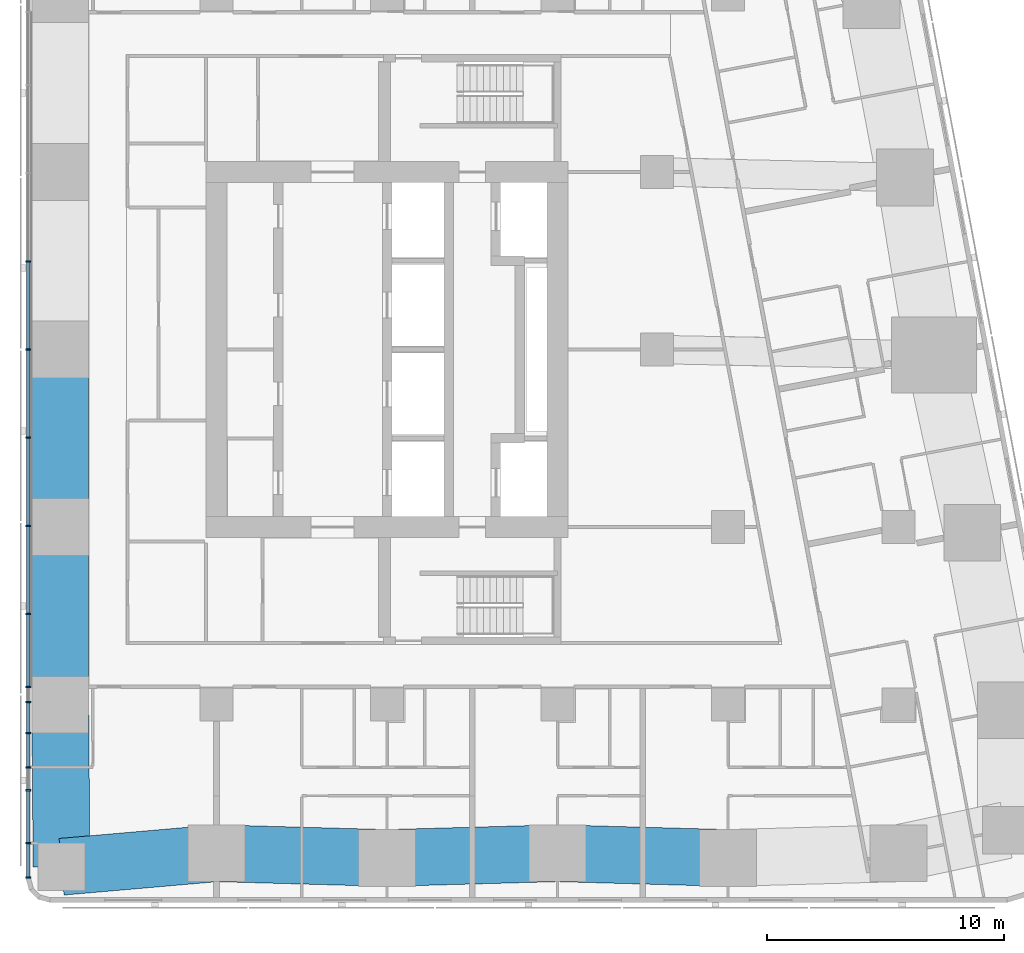
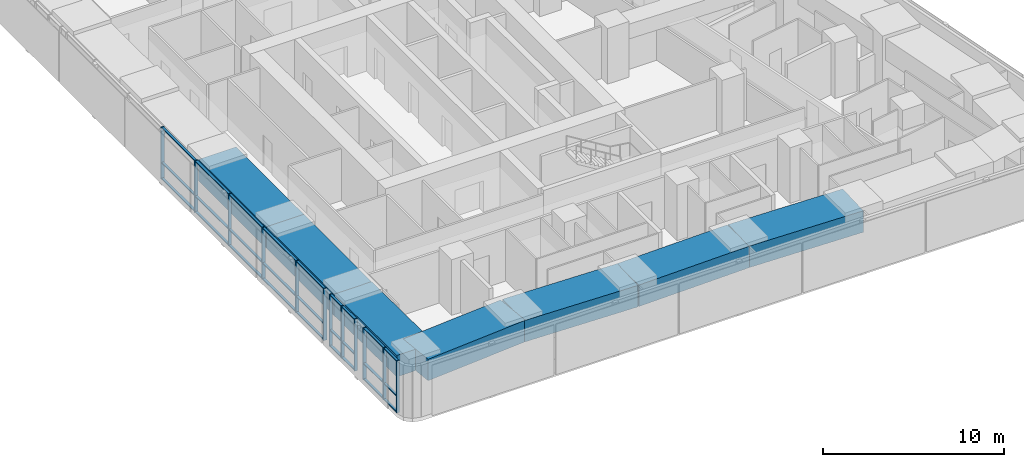
# One storey, part 2 of 19: 39 members, 7 beams, 1 element without a shape of its own.
"""IFC4 building model written with IfcOpenShell, lengths in metres."""

from ifc_helpers import new_model, si_unit, direction, frame, origin, origin_2d, place, context, subcontext, project, spatial, rectangle, extrude, material, material_profile, profile_set, type_object, element, aggregate, save


model = new_model("IFC4")

# Units and contexts
model_context = context("Model", 3, precision=1e-05, world=origin(), true_north=direction((0.0, 1.0)))
body_context = subcontext(model_context, "Body", "Model", "MODEL_VIEW")
ifc_project = project(units=[si_unit("LENGTHUNIT", "METRE"), si_unit("AREAUNIT", "SQUARE_METRE"), si_unit("VOLUMEUNIT", "CUBIC_METRE"), si_unit("PLANEANGLEUNIT", "RADIAN"), si_unit("MASSUNIT", "GRAM", prefix="KILO")], contexts=[model_context])

# Site, building, storey
site_placement = place(None, origin())
site = spatial("IfcSite", under=ifc_project, at=site_placement, CompositionType="ELEMENT")
building_placement = place(site_placement, origin())
building = spatial("IfcBuilding", under=site, at=building_placement, Name="Sheger Commons Tower", CompositionType="ELEMENT")
storey_placement = place(building_placement, frame((0.0, 0.0, 216.199951171875)))
storey = spatial("IfcBuildingStorey", under=building, at=storey_placement, Name="L55", CompositionType="ELEMENT", Elevation=216.199951171875)

# Curtain wall, members
ifc_material_1 = material(Name="Black aluminium curtain wall, dark tinted glazing", Category="aluminium")
curtain_wall_type = type_object("IfcCurtainWallType", Name="CURTAIN WALL CW4 GALLERY", PredefinedType="USERDEFINED", material=ifc_material_1)
curtain_wall_placement = place(storey_placement, origin())
curtain_wall = element("IfcCurtainWall", 1, at=curtain_wall_placement, inside=storey, type_object=curtain_wall_type, Name="Curtain Wall Cw4 Gallery W1 L55", ObjectType="UNITISED CURTAIN WALL", PredefinedType="USERDEFINED")
ifc_material_2 = material(Name="Black anodised aluminium", Category="aluminium")
ifc_material_profile_1 = material_profile(ifc_material_2, rectangle(XDim=0.199951171875, YDim=0.06494140625, at=origin_2d()), Name="AL 65x200")
ifc_profile_set_1 = profile_set([ifc_material_profile_1], Name="Black anodised aluminium")
member_type_1 = type_object("IfcMemberType", Name="MULLION AL 65x200", PredefinedType="MULLION", material=ifc_profile_set_1)
member_1_placement = place(storey_placement, frame((6.449951171875, 26.222900390625, 0.0), z_axis=(0.0, 0.0, 1.0), x_axis=(1.0, 0.0, 0.0)))
member_1 = element("IfcMember", 2, at=member_1_placement, type_object=member_type_1, Name="CW4 mullion 10", PredefinedType="MULLION", context=body_context, shape_type="SweptSolid", body=[
    extrude(rectangle(XDim=0.199951171875, YDim=0.06494140625, at=origin_2d()), origin(), (0.0, 0.0, 1.0), 3.5),
])
member_2_placement = place(storey_placement, frame((6.449951171875, 22.5, 0.0), z_axis=(0.0, 0.0, 1.0), x_axis=(1.0, 0.0, 0.0)))
member_2 = element("IfcMember", 3, at=member_2_placement, type_object=member_type_1, Name="CW4 mullion 11", PredefinedType="MULLION", context=body_context, shape_type="SweptSolid", body=[
    extrude(rectangle(XDim=0.199951171875, YDim=0.06494140625, at=origin_2d()), origin(), (0.0, 0.0, 1.0), 3.5),
])
member_3_placement = place(storey_placement, frame((6.449951171875, 18.777099609375, 0.0), z_axis=(0.0, 0.0, 1.0), x_axis=(1.0, 0.0, 0.0)))
member_3 = element("IfcMember", 4, at=member_3_placement, type_object=member_type_1, Name="CW4 mullion 12", PredefinedType="MULLION", context=body_context, shape_type="SweptSolid", body=[
    extrude(rectangle(XDim=0.199951171875, YDim=0.06494140625, at=origin_2d()), origin(), (0.0, 0.0, 1.0), 3.5),
])
member_4_placement = place(storey_placement, frame((6.449951171875, 15.053955078125, 0.0), z_axis=(0.0, 0.0, 1.0), x_axis=(1.0, 0.0, 0.0)))
member_4 = element("IfcMember", 5, at=member_4_placement, type_object=member_type_1, Name="CW4 mullion 13", PredefinedType="MULLION", context=body_context, shape_type="SweptSolid", body=[
    extrude(rectangle(XDim=0.199951171875, YDim=0.06494140625, at=origin_2d()), origin(), (0.0, 0.0, 1.0), 3.5),
])
member_5_placement = place(storey_placement, frame((6.449951171875, 11.3310546875, 0.0), z_axis=(0.0, 0.0, 1.0), x_axis=(1.0, 0.0, 0.0)))
member_5 = element("IfcMember", 6, at=member_5_placement, type_object=member_type_1, Name="CW4 mullion 14", PredefinedType="MULLION", context=body_context, shape_type="SweptSolid", body=[
    extrude(rectangle(XDim=0.199951171875, YDim=0.06494140625, at=origin_2d()), origin(), (0.0, 0.0, 1.0), 3.5),
])
member_6_placement = place(storey_placement, frame((6.449951171875, 8.25, 0.0), z_axis=(0.0, 0.0, 1.0), x_axis=(1.0, 0.0, 0.0)))
member_6 = element("IfcMember", 7, at=member_6_placement, type_object=member_type_1, Name="CW4 mullion 15", PredefinedType="MULLION", context=body_context, shape_type="SweptSolid", body=[
    extrude(rectangle(XDim=0.199951171875, YDim=0.06494140625, at=origin_2d()), origin(), (0.0, 0.0, 1.0), 3.5),
])
member_7_placement = place(storey_placement, frame((6.449951171875, 7.60888671875, 0.0), z_axis=(0.0, 0.0, 1.0), x_axis=(1.0, 0.0, 0.0)))
member_7 = element("IfcMember", 8, at=member_7_placement, type_object=member_type_1, Name="CW4 mullion 16", PredefinedType="MULLION", context=body_context, shape_type="SweptSolid", body=[
    extrude(rectangle(XDim=0.199951171875, YDim=0.06494140625, at=origin_2d()), origin(), (0.0, 0.0, 1.0), 3.5),
])
member_8_placement = place(storey_placement, frame((6.449951171875, 6.300048828125, 0.0), z_axis=(0.0, 0.0, 1.0), x_axis=(1.0, 0.0, 0.0)))
member_8 = element("IfcMember", 9, at=member_8_placement, type_object=member_type_1, Name="CW4 mullion 17", PredefinedType="MULLION", context=body_context, shape_type="SweptSolid", body=[
    extrude(rectangle(XDim=0.199951171875, YDim=0.06494140625, at=origin_2d()), origin(), (0.0, 0.0, 1.0), 3.5),
])
member_9_placement = place(storey_placement, frame((6.449951171875, 4.85009765625, 0.0), z_axis=(0.0, 0.0, 1.0), x_axis=(1.0, 0.0, 0.0)))
member_9 = element("IfcMember", 10, at=member_9_placement, type_object=member_type_1, Name="CW4 mullion 18", PredefinedType="MULLION", context=body_context, shape_type="SweptSolid", body=[
    extrude(rectangle(XDim=0.199951171875, YDim=0.06494140625, at=origin_2d()), origin(), (0.0, 0.0, 1.0), 3.5),
])
member_10_placement = place(storey_placement, frame((6.449951171875, 3.885986328125, 0.0), z_axis=(0.0, 0.0, 1.0), x_axis=(1.0, 0.0, 0.0)))
member_10 = element("IfcMember", 11, at=member_10_placement, type_object=member_type_1, Name="CW4 mullion 19", PredefinedType="MULLION", context=body_context, shape_type="SweptSolid", body=[
    extrude(rectangle(XDim=0.199951171875, YDim=0.06494140625, at=origin_2d()), origin(), (0.0, 0.0, 1.0), 3.5),
])
member_11_placement = place(storey_placement, frame((6.449951171875, 1.654052734375, 0.0), z_axis=(0.0, 0.0, 1.0), x_axis=(1.0, 0.0, 0.0)))
member_11 = element("IfcMember", 12, at=member_11_placement, type_object=member_type_1, Name="CW4 mullion 20", PredefinedType="MULLION", context=body_context, shape_type="SweptSolid", body=[
    extrude(rectangle(XDim=0.199951171875, YDim=0.06494140625, at=origin_2d()), origin(), (0.0, 0.0, 1.0), 3.5),
])
member_12_placement = place(storey_placement, frame((6.449951171875, 0.195556640625, 0.0), z_axis=(0.0, 0.0, 1.0), x_axis=(1.0, 0.0, 0.0)))
member_12 = element("IfcMember", 13, at=member_12_placement, type_object=member_type_1, Name="CW4 mullion 21", PredefinedType="MULLION", context=body_context, shape_type="SweptSolid", body=[
    extrude(rectangle(XDim=0.199951171875, YDim=0.06494140625, at=origin_2d()), origin(), (0.0, 0.0, 1.0), 3.5),
])

# Beams
ifc_material_3 = material(Name="Concrete C50/60", Category="concrete")
ifc_material_profile_2 = material_profile(ifc_material_3, rectangle(XDim=2.39990234375, YDim=1.449951171875, at=origin_2d()), Name="RC 2400x1450")
ifc_profile_set_2 = profile_set([ifc_material_profile_2], Name="Concrete C50/60")
beam_type = type_object("IfcBeamType", Name="SPANDREL RC 2400x1450", PredefinedType="SPANDREL", material=ifc_profile_set_2)
beam_1_placement = place(storey_placement, frame((7.85400390625, 0.654052734375, 2.775146484375), z_axis=(0.996216429799, 0.086906990501, 0.0), x_axis=(-0.086906990501, 0.996216429799, 0.0)))
element("IfcBeam", 14, at=beam_1_placement, inside=storey, type_object=beam_type, Name="Beam 2/A-3/A under L56", PredefinedType="SPANDREL", context=body_context, shape_type="SweptSolid", body=[
    extrude(rectangle(XDim=2.39990234375, YDim=1.449951171875, at=origin_2d()), origin(), (0.0, 0.0, 1.0), 6.57080078125),
])
beam_2_placement = place(storey_placement, frame((14.39990234375, 1.22509765625, 2.775146484375), z_axis=(0.999613688584, -0.027793409217, 0.0), x_axis=(0.027793409217, 0.999613688584, 0.0)))
element("IfcBeam", 15, at=beam_2_placement, inside=storey, type_object=beam_type, Name="Beam 3/A-4/A under L56", PredefinedType="SPANDREL", context=body_context, shape_type="SweptSolid", body=[
    extrude(rectangle(XDim=2.39990234375, YDim=1.449951171875, at=origin_2d()), origin(), (0.0, 0.0, 1.0), 7.202880859375),
])
for number, where, z_axis, x_axis, name in (
    (16, (21.60009765625, 1.02490234375, 2.775146484375), (0.9996136624, 0.027794350926, 0.0), (-0.027794350926, 0.9996136624, 0.0), "Beam 4/A-5/A under L56"),
    (17, (28.800048828125, 1.22509765625, 2.775146484375), (0.9996136624, -0.027794350926, 0.0), (0.027794350926, 0.9996136624, 0.0), "Beam 5/A-6/A under L56"),
):
    element("IfcBeam", number, at=place(storey_placement, frame(where, z_axis=z_axis, x_axis=x_axis)), inside=storey, type_object=beam_type, Name=name, PredefinedType="SPANDREL", context=body_context, shape_type="SweptSolid", body=[
        extrude(rectangle(XDim=2.39990234375, YDim=1.449951171875, at=origin_2d()), origin(), (0.0, 0.0, 1.0), 7.20263671875),
    ])
for number, where, z_axis, x_axis, name in (
    (18, (7.800048828125, 22.5, 2.775146484375), (0.0, -1.0, 0.0), (1.0, 0.0, 0.0), "Beam 2/D-2/C under L56"),
    (19, (7.800048828125, 15.0, 2.775146484375), (0.0, -1.0, 0.0), (1.0, 0.0, 0.0), "Beam 2/C-2/B under L56"),
):
    element("IfcBeam", number, at=place(storey_placement, frame(where, z_axis=z_axis, x_axis=x_axis)), inside=storey, type_object=beam_type, Name=name, PredefinedType="SPANDREL", context=body_context, shape_type="SweptSolid", body=[
        extrude(rectangle(XDim=2.39990234375, YDim=1.449951171875, at=origin_2d()), origin(), (0.0, 0.0, 1.0), 7.5),
    ])
beam_3_placement = place(storey_placement, frame((7.800048828125, 7.5, 2.775146484375), z_axis=(0.00788107188, -0.999968943871, 0.0), x_axis=(0.999968943871, 0.00788107188, 0.0)))
element("IfcBeam", 20, at=beam_3_placement, inside=storey, type_object=beam_type, Name="Beam 2/B-2/A under L56", PredefinedType="SPANDREL", context=body_context, shape_type="SweptSolid", body=[
    extrude(rectangle(XDim=2.39990234375, YDim=1.449951171875, at=origin_2d()), origin(), (0.0, 0.0, 1.0), 6.84619140625),
])

# Member
ifc_material_4 = material(Name="Black anodised aluminium", Category="aluminium")
ifc_material_profile_3 = material_profile(ifc_material_4, rectangle(XDim=0.14990234375, YDim=0.06494140625, at=origin_2d()), Name="AL 65x150")
ifc_profile_set_3 = profile_set([ifc_material_profile_3], Name="Black anodised aluminium")
member_type_2 = type_object("IfcMemberType", Name="TRANSOM AL 65x150", PredefinedType="USERDEFINED", material=ifc_profile_set_3)
member_13_placement = place(storey_placement, frame((6.449951171875, 26.1904296875, 0.032470703125), z_axis=(0.0, -1.0, 0.0), x_axis=(1.0, 0.0, 0.0)))
member_13 = element("IfcMember", 21, at=member_13_placement, type_object=member_type_2, Name="CW4 transom 10.1", ObjectType="TRANSOM", PredefinedType="USERDEFINED", context=body_context, shape_type="SweptSolid", body=[
    extrude(rectangle(XDim=0.14990234375, YDim=0.06494140625, at=origin_2d()), origin(), (0.0, 0.0, 1.0), 3.657958984375),
])

member_14_placement = place(storey_placement, frame((6.449951171875, 26.1904296875, 1.10009765625), z_axis=(0.0, -1.0, 0.0), x_axis=(1.0, 0.0, 0.0)))
member_14 = element("IfcMember", 22, at=member_14_placement, type_object=member_type_2, Name="CW4 transom 10.2", ObjectType="TRANSOM", PredefinedType="USERDEFINED", context=body_context, shape_type="SweptSolid", body=[
    extrude(rectangle(XDim=0.14990234375, YDim=0.06494140625, at=origin_2d()), origin(), (0.0, 0.0, 1.0), 3.657958984375),
])

member_15_placement = place(storey_placement, frame((6.449951171875, 26.1904296875, 3.467529296875), z_axis=(0.0, -1.0, 0.0), x_axis=(1.0, 0.0, 0.0)))
member_15 = element("IfcMember", 23, at=member_15_placement, type_object=member_type_2, Name="CW4 transom 10.3", ObjectType="TRANSOM", PredefinedType="USERDEFINED", context=body_context, shape_type="SweptSolid", body=[
    extrude(rectangle(XDim=0.14990234375, YDim=0.06494140625, at=origin_2d()), origin(), (0.0, 0.0, 1.0), 3.657958984375),
])

member_16_placement = place(storey_placement, frame((6.449951171875, 22.467529296875, 0.032470703125), z_axis=(0.0, -1.0, 0.0), x_axis=(1.0, 0.0, 0.0)))
member_16 = element("IfcMember", 24, at=member_16_placement, type_object=member_type_2, Name="CW4 transom 11.1", ObjectType="TRANSOM", PredefinedType="USERDEFINED", context=body_context, shape_type="SweptSolid", body=[
    extrude(rectangle(XDim=0.14990234375, YDim=0.06494140625, at=origin_2d()), origin(), (0.0, 0.0, 1.0), 3.657958984375),
])

member_17_placement = place(storey_placement, frame((6.449951171875, 22.467529296875, 1.10009765625), z_axis=(0.0, -1.0, 0.0), x_axis=(1.0, 0.0, 0.0)))
member_17 = element("IfcMember", 25, at=member_17_placement, type_object=member_type_2, Name="CW4 transom 11.2", ObjectType="TRANSOM", PredefinedType="USERDEFINED", context=body_context, shape_type="SweptSolid", body=[
    extrude(rectangle(XDim=0.14990234375, YDim=0.06494140625, at=origin_2d()), origin(), (0.0, 0.0, 1.0), 3.657958984375),
])

member_18_placement = place(storey_placement, frame((6.449951171875, 22.467529296875, 3.467529296875), z_axis=(0.0, -1.0, 0.0), x_axis=(1.0, 0.0, 0.0)))
member_18 = element("IfcMember", 26, at=member_18_placement, type_object=member_type_2, Name="CW4 transom 11.3", ObjectType="TRANSOM", PredefinedType="USERDEFINED", context=body_context, shape_type="SweptSolid", body=[
    extrude(rectangle(XDim=0.14990234375, YDim=0.06494140625, at=origin_2d()), origin(), (0.0, 0.0, 1.0), 3.657958984375),
])

member_19_placement = place(storey_placement, frame((6.449951171875, 18.744384765625, 0.032470703125), z_axis=(0.0, -1.0, 0.0), x_axis=(1.0, 0.0, 0.0)))
member_19 = element("IfcMember", 27, at=member_19_placement, type_object=member_type_2, Name="CW4 transom 12.1", ObjectType="TRANSOM", PredefinedType="USERDEFINED", context=body_context, shape_type="SweptSolid", body=[
    extrude(rectangle(XDim=0.14990234375, YDim=0.06494140625, at=origin_2d()), origin(), (0.0, 0.0, 1.0), 3.657958984375),
])

member_20_placement = place(storey_placement, frame((6.449951171875, 18.744384765625, 1.10009765625), z_axis=(0.0, -1.0, 0.0), x_axis=(1.0, 0.0, 0.0)))
member_20 = element("IfcMember", 28, at=member_20_placement, type_object=member_type_2, Name="CW4 transom 12.2", ObjectType="TRANSOM", PredefinedType="USERDEFINED", context=body_context, shape_type="SweptSolid", body=[
    extrude(rectangle(XDim=0.14990234375, YDim=0.06494140625, at=origin_2d()), origin(), (0.0, 0.0, 1.0), 3.657958984375),
])

member_21_placement = place(storey_placement, frame((6.449951171875, 18.744384765625, 3.467529296875), z_axis=(0.0, -1.0, 0.0), x_axis=(1.0, 0.0, 0.0)))
member_21 = element("IfcMember", 29, at=member_21_placement, type_object=member_type_2, Name="CW4 transom 12.3", ObjectType="TRANSOM", PredefinedType="USERDEFINED", context=body_context, shape_type="SweptSolid", body=[
    extrude(rectangle(XDim=0.14990234375, YDim=0.06494140625, at=origin_2d()), origin(), (0.0, 0.0, 1.0), 3.657958984375),
])

member_22_placement = place(storey_placement, frame((6.449951171875, 15.021484375, 0.032470703125), z_axis=(0.0, -1.0, 0.0), x_axis=(1.0, 0.0, 0.0)))
member_22 = element("IfcMember", 30, at=member_22_placement, type_object=member_type_2, Name="CW4 transom 13.1", ObjectType="TRANSOM", PredefinedType="USERDEFINED", context=body_context, shape_type="SweptSolid", body=[
    extrude(rectangle(XDim=0.14990234375, YDim=0.06494140625, at=origin_2d()), origin(), (0.0, 0.0, 1.0), 3.657958984375),
])

member_23_placement = place(storey_placement, frame((6.449951171875, 15.021484375, 1.10009765625), z_axis=(0.0, -1.0, 0.0), x_axis=(1.0, 0.0, 0.0)))
member_23 = element("IfcMember", 31, at=member_23_placement, type_object=member_type_2, Name="CW4 transom 13.2", ObjectType="TRANSOM", PredefinedType="USERDEFINED", context=body_context, shape_type="SweptSolid", body=[
    extrude(rectangle(XDim=0.14990234375, YDim=0.06494140625, at=origin_2d()), origin(), (0.0, 0.0, 1.0), 3.657958984375),
])

member_24_placement = place(storey_placement, frame((6.449951171875, 15.021484375, 3.467529296875), z_axis=(0.0, -1.0, 0.0), x_axis=(1.0, 0.0, 0.0)))
member_24 = element("IfcMember", 32, at=member_24_placement, type_object=member_type_2, Name="CW4 transom 13.3", ObjectType="TRANSOM", PredefinedType="USERDEFINED", context=body_context, shape_type="SweptSolid", body=[
    extrude(rectangle(XDim=0.14990234375, YDim=0.06494140625, at=origin_2d()), origin(), (0.0, 0.0, 1.0), 3.657958984375),
])

member_25_placement = place(storey_placement, frame((6.449951171875, 11.298583984375, 0.032470703125), z_axis=(0.0, -1.0, 0.0), x_axis=(1.0, 0.0, 0.0)))
member_25 = element("IfcMember", 33, at=member_25_placement, type_object=member_type_2, Name="CW4 transom 14.1", ObjectType="TRANSOM", PredefinedType="USERDEFINED", context=body_context, shape_type="SweptSolid", body=[
    extrude(rectangle(XDim=0.14990234375, YDim=0.06494140625, at=origin_2d()), origin(), (0.0, 0.0, 1.0), 3.01611328125),
])

member_26_placement = place(storey_placement, frame((6.449951171875, 11.298583984375, 1.10009765625), z_axis=(0.0, -1.0, 0.0), x_axis=(1.0, 0.0, 0.0)))
member_26 = element("IfcMember", 34, at=member_26_placement, type_object=member_type_2, Name="CW4 transom 14.2", ObjectType="TRANSOM", PredefinedType="USERDEFINED", context=body_context, shape_type="SweptSolid", body=[
    extrude(rectangle(XDim=0.14990234375, YDim=0.06494140625, at=origin_2d()), origin(), (0.0, 0.0, 1.0), 3.01611328125),
])

member_27_placement = place(storey_placement, frame((6.449951171875, 11.298583984375, 3.467529296875), z_axis=(0.0, -1.0, 0.0), x_axis=(1.0, 0.0, 0.0)))
member_27 = element("IfcMember", 35, at=member_27_placement, type_object=member_type_2, Name="CW4 transom 14.3", ObjectType="TRANSOM", PredefinedType="USERDEFINED", context=body_context, shape_type="SweptSolid", body=[
    extrude(rectangle(XDim=0.14990234375, YDim=0.06494140625, at=origin_2d()), origin(), (0.0, 0.0, 1.0), 3.01611328125),
])

member_28_placement = place(storey_placement, frame((6.449951171875, 7.576416015625, 0.032470703125), z_axis=(0.0, -1.0, 0.0), x_axis=(1.0, 0.0, 0.0)))
member_28 = element("IfcMember", 36, at=member_28_placement, type_object=member_type_2, Name="CW4 transom 16.1", ObjectType="TRANSOM", PredefinedType="USERDEFINED", context=body_context, shape_type="SweptSolid", body=[
    extrude(rectangle(XDim=0.14990234375, YDim=0.06494140625, at=origin_2d()), origin(), (0.0, 0.0, 1.0), 1.243896484375),
])

member_29_placement = place(storey_placement, frame((6.449951171875, 7.576416015625, 1.10009765625), z_axis=(0.0, -1.0, 0.0), x_axis=(1.0, 0.0, 0.0)))
member_29 = element("IfcMember", 37, at=member_29_placement, type_object=member_type_2, Name="CW4 transom 16.2", ObjectType="TRANSOM", PredefinedType="USERDEFINED", context=body_context, shape_type="SweptSolid", body=[
    extrude(rectangle(XDim=0.14990234375, YDim=0.06494140625, at=origin_2d()), origin(), (0.0, 0.0, 1.0), 1.243896484375),
])

member_30_placement = place(storey_placement, frame((6.449951171875, 7.576416015625, 3.467529296875), z_axis=(0.0, -1.0, 0.0), x_axis=(1.0, 0.0, 0.0)))
member_30 = element("IfcMember", 38, at=member_30_placement, type_object=member_type_2, Name="CW4 transom 16.3", ObjectType="TRANSOM", PredefinedType="USERDEFINED", context=body_context, shape_type="SweptSolid", body=[
    extrude(rectangle(XDim=0.14990234375, YDim=0.06494140625, at=origin_2d()), origin(), (0.0, 0.0, 1.0), 1.243896484375),
])

member_31_placement = place(storey_placement, frame((6.449951171875, 6.267578125, 0.032470703125), z_axis=(0.0, -1.0, 0.0), x_axis=(1.0, 0.0, 0.0)))
member_31 = element("IfcMember", 39, at=member_31_placement, type_object=member_type_2, Name="CW4 transom 17.1", ObjectType="TRANSOM", PredefinedType="USERDEFINED", context=body_context, shape_type="SweptSolid", body=[
    extrude(rectangle(XDim=0.14990234375, YDim=0.06494140625, at=origin_2d()), origin(), (0.0, 0.0, 1.0), 1.385009765625),
])

member_32_placement = place(storey_placement, frame((6.449951171875, 6.267578125, 1.10009765625), z_axis=(0.0, -1.0, 0.0), x_axis=(1.0, 0.0, 0.0)))
member_32 = element("IfcMember", 40, at=member_32_placement, type_object=member_type_2, Name="CW4 transom 17.2", ObjectType="TRANSOM", PredefinedType="USERDEFINED", context=body_context, shape_type="SweptSolid", body=[
    extrude(rectangle(XDim=0.14990234375, YDim=0.06494140625, at=origin_2d()), origin(), (0.0, 0.0, 1.0), 1.385009765625),
])

member_33_placement = place(storey_placement, frame((6.449951171875, 6.267578125, 3.467529296875), z_axis=(0.0, -1.0, 0.0), x_axis=(1.0, 0.0, 0.0)))
member_33 = element("IfcMember", 41, at=member_33_placement, type_object=member_type_2, Name="CW4 transom 17.3", ObjectType="TRANSOM", PredefinedType="USERDEFINED", context=body_context, shape_type="SweptSolid", body=[
    extrude(rectangle(XDim=0.14990234375, YDim=0.06494140625, at=origin_2d()), origin(), (0.0, 0.0, 1.0), 1.385009765625),
])

member_34_placement = place(storey_placement, frame((6.449951171875, 3.853515625, 0.032470703125), z_axis=(0.0, -1.0, 0.0), x_axis=(1.0, 0.0, 0.0)))
member_34 = element("IfcMember", 42, at=member_34_placement, type_object=member_type_2, Name="CW4 transom 19.1", ObjectType="TRANSOM", PredefinedType="USERDEFINED", context=body_context, shape_type="SweptSolid", body=[
    extrude(rectangle(XDim=0.14990234375, YDim=0.06494140625, at=origin_2d()), origin(), (0.0, 0.0, 1.0), 2.1669921875),
])

member_35_placement = place(storey_placement, frame((6.449951171875, 3.853515625, 1.10009765625), z_axis=(0.0, -1.0, 0.0), x_axis=(1.0, 0.0, 0.0)))
member_35 = element("IfcMember", 43, at=member_35_placement, type_object=member_type_2, Name="CW4 transom 19.2", ObjectType="TRANSOM", PredefinedType="USERDEFINED", context=body_context, shape_type="SweptSolid", body=[
    extrude(rectangle(XDim=0.14990234375, YDim=0.06494140625, at=origin_2d()), origin(), (0.0, 0.0, 1.0), 2.1669921875),
])

member_36_placement = place(storey_placement, frame((6.449951171875, 3.853515625, 3.467529296875), z_axis=(0.0, -1.0, 0.0), x_axis=(1.0, 0.0, 0.0)))
member_36 = element("IfcMember", 44, at=member_36_placement, type_object=member_type_2, Name="CW4 transom 19.3", ObjectType="TRANSOM", PredefinedType="USERDEFINED", context=body_context, shape_type="SweptSolid", body=[
    extrude(rectangle(XDim=0.14990234375, YDim=0.06494140625, at=origin_2d()), origin(), (0.0, 0.0, 1.0), 2.1669921875),
])

member_37_placement = place(storey_placement, frame((6.449951171875, 1.62158203125, 0.032470703125), z_axis=(0.0, -1.0, 0.0), x_axis=(1.0, 0.0, 0.0)))
member_37 = element("IfcMember", 45, at=member_37_placement, type_object=member_type_2, Name="CW4 transom 20.1", ObjectType="TRANSOM", PredefinedType="USERDEFINED", context=body_context, shape_type="SweptSolid", body=[
    extrude(rectangle(XDim=0.14990234375, YDim=0.06494140625, at=origin_2d()), origin(), (0.0, 0.0, 1.0), 1.3935546875),
])

member_38_placement = place(storey_placement, frame((6.449951171875, 1.62158203125, 1.10009765625), z_axis=(0.0, -1.0, 0.0), x_axis=(1.0, 0.0, 0.0)))
member_38 = element("IfcMember", 46, at=member_38_placement, type_object=member_type_2, Name="CW4 transom 20.2", ObjectType="TRANSOM", PredefinedType="USERDEFINED", context=body_context, shape_type="SweptSolid", body=[
    extrude(rectangle(XDim=0.14990234375, YDim=0.06494140625, at=origin_2d()), origin(), (0.0, 0.0, 1.0), 1.3935546875),
])

member_39_placement = place(storey_placement, frame((6.449951171875, 1.62158203125, 3.467529296875), z_axis=(0.0, -1.0, 0.0), x_axis=(1.0, 0.0, 0.0)))
member_39 = element("IfcMember", 47, at=member_39_placement, type_object=member_type_2, Name="CW4 transom 20.3", ObjectType="TRANSOM", PredefinedType="USERDEFINED", context=body_context, shape_type="SweptSolid", body=[
    extrude(rectangle(XDim=0.14990234375, YDim=0.06494140625, at=origin_2d()), origin(), (0.0, 0.0, 1.0), 1.3935546875),
])

aggregate(curtain_wall, [member_1, member_2, member_3, member_4, member_5, member_6, member_7, member_8, member_9, member_10, member_11, member_12, member_13, member_14, member_15, member_16, member_17, member_18, member_19, member_20, member_21, member_22, member_23, member_24, member_25, member_26, member_27, member_28, member_29, member_30, member_31, member_32, member_33, member_34, member_35, member_36, member_37, member_38, member_39])

save(model, "model.ifc")
